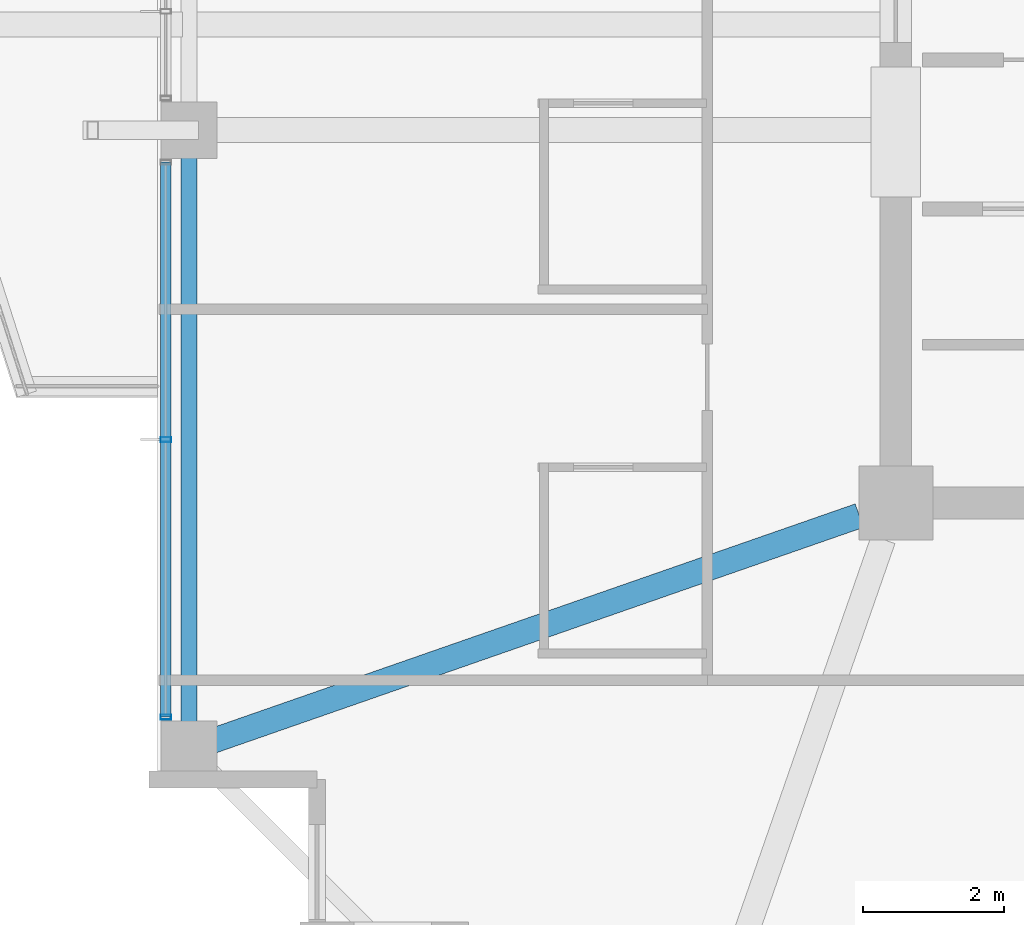
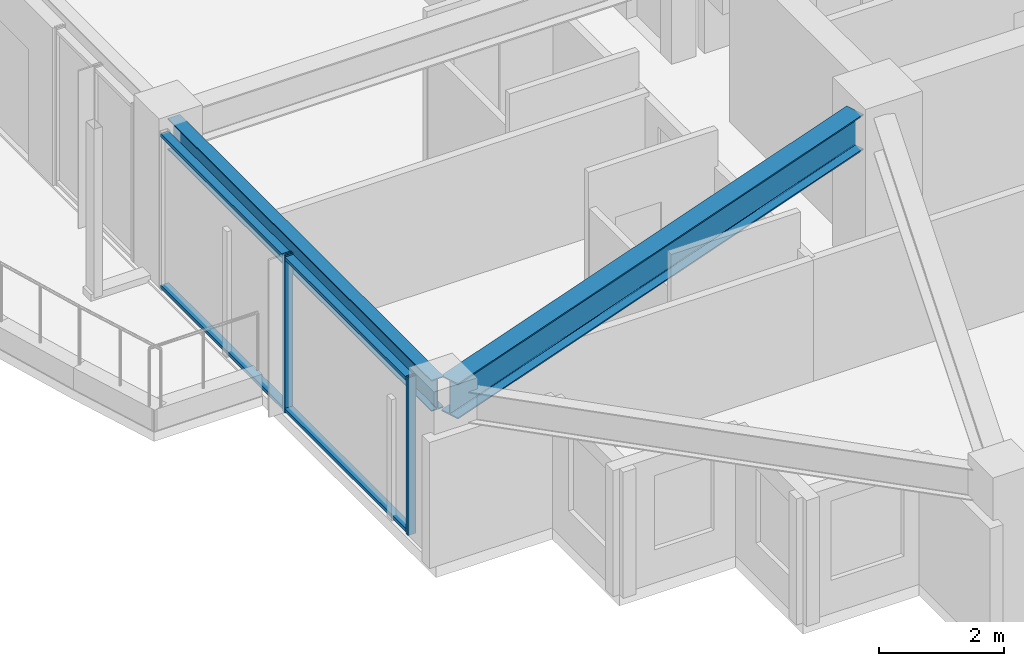
# One storey, part 3 of 33: 4 members, 2 beams, 1 element without a shape of its own.
"""IFC4 building model written with IfcOpenShell, lengths in metres."""

from ifc_helpers import new_model, si_unit, direction, frame, origin, origin_2d, place, context, subcontext, project, spatial, hollow_rectangle, i_section, extrude, material, material_profile, profile_set, type_object, element, aggregate, save


model = new_model("IFC4")

# Units and contexts
model_context = context("Model", 3, precision=1e-05, world=origin(), true_north=direction((0.0, 1.0)))
body_context = subcontext(model_context, "Body", "Model", "MODEL_VIEW")
ifc_project = project(units=[si_unit("LENGTHUNIT", "METRE"), si_unit("AREAUNIT", "SQUARE_METRE"), si_unit("VOLUMEUNIT", "CUBIC_METRE"), si_unit("PLANEANGLEUNIT", "RADIAN"), si_unit("MASSUNIT", "GRAM", prefix="KILO")], contexts=[model_context])

# Site, building, storey
site_placement = place(None, origin())
site = spatial("IfcSite", under=ifc_project, at=site_placement, CompositionType="ELEMENT")
building_placement = place(site_placement, origin())
building = spatial("IfcBuilding", under=site, at=building_placement, Name="Kolvaren Belvedere", CompositionType="ELEMENT")
storey_placement = place(building_placement, frame((0.0, 0.0, 209.699951171875)))
storey = spatial("IfcBuildingStorey", under=building, at=storey_placement, Name="L61", CompositionType="ELEMENT", Elevation=209.699951171875)

# Beams
ifc_material_1 = material(Name="Structural steel ASTM A992 Grade 50", Category="steel")
ifc_material_profile_1 = material_profile(ifc_material_1, i_section(OverallWidth=0.35498046875, OverallDepth=0.696044921875, WebThickness=0.015380859375, FlangeThickness=0.02490234375, FilletRadius=0.02197265625, at=origin_2d()), Name="W27X146")
ifc_profile_set_1 = profile_set([ifc_material_profile_1], Name="Structural steel ASTM A992 Grade 50")
beam_type_1 = type_object("IfcBeamType", Name="BM-GIRD-W27X146", PredefinedType="BEAM", material=ifc_profile_set_1)
beam_1_placement = place(storey_placement, frame((-10.41943359375, -10.080810546875, 2.73193359375), z_axis=(-0.944365399758, -0.328898147971, 0.0), x_axis=(0.328898147971, -0.944365399758, 0.0)))
element("IfcBeam", 1, at=beam_1_placement, inside=storey, type_object=beam_type_1, Name="L61 Corner Core-to-Perimeter Girder CC1-W1", PredefinedType="BEAM", context=body_context, shape_type="SweptSolid", body=[
    extrude(i_section(OverallWidth=0.35498046875, OverallDepth=0.696044921875, WebThickness=0.015380859375, FlangeThickness=0.02490234375, FilletRadius=0.02197265625, at=origin_2d()), origin(), (0.0, 0.0, 1.0), 9.931884765625),
])
ifc_material_2 = material(Name="Structural steel ASTM A992 Grade 50", Category="steel")
ifc_material_profile_2 = material_profile(ifc_material_2, i_section(OverallWidth=0.22900390625, OverallDepth=0.612060546875, WebThickness=0.011962890625, FlangeThickness=0.01953125, FilletRadius=0.01806640625, at=origin_2d()), Name="W24X84")
ifc_profile_set_2 = profile_set([ifc_material_profile_2], Name="Structural steel ASTM A992 Grade 50")
beam_type_2 = type_object("IfcBeamType", Name="BM-SPAN-W24X84", PredefinedType="SPANDREL", material=ifc_profile_set_2)
beam_2_placement = place(storey_placement, frame((-19.949951171875, -4.780029296875, 2.774169921875), z_axis=(0.0, -1.0, 0.0), x_axis=(1.0, 0.0, 0.0)))
element("IfcBeam", 2, at=beam_2_placement, inside=storey, type_object=beam_type_2, Name="L61 Perimeter Spandrel W2-W1", PredefinedType="SPANDREL", context=body_context, shape_type="SweptSolid", body=[
    extrude(i_section(OverallWidth=0.22900390625, OverallDepth=0.612060546875, WebThickness=0.011962890625, FlangeThickness=0.01953125, FilletRadius=0.01806640625, at=origin_2d()), origin(), (0.0, 0.0, 1.0), 8.43994140625),
])

# Curtain wall, members
ifc_material_3 = material(Name="Anodised pale-metal aluminium AA 6063-T6", Category="aluminium")
curtain_wall_type = type_object("IfcCurtainWallType", Name="CW-Z5-HIGH", PredefinedType="NOTDEFINED", material=ifc_material_3)
curtain_wall_placement = place(storey_placement, origin())
curtain_wall = element("IfcCurtainWall", 3, at=curtain_wall_placement, inside=storey, type_object=curtain_wall_type, Name="L61 Unitised Curtain Wall FCW-L61-W1-B1", PredefinedType="NOTDEFINED")
ifc_material_4 = material(Name="Anodised pale-metal aluminium AA 6063-T6", Category="aluminium")
ifc_material_profile_3 = material_profile(ifc_material_4, hollow_rectangle(XDim=0.070068359375, YDim=0.14990234375, WallThickness=0.004150390625, at=origin_2d()), Name="ALU-MUL-150X70")
ifc_profile_set_3 = profile_set([ifc_material_profile_3], Name="Anodised pale-metal aluminium AA 6063-T6")
member_type_1 = type_object("IfcMemberType", Name="CW-MUL-150", PredefinedType="MULLION", material=ifc_profile_set_3)
member_1_placement = place(storey_placement, frame((-20.280029296875, -12.945068359375, 0.0), z_axis=(0.0, 0.0, 1.0), x_axis=(0.0, 1.0, 0.0)))
member_1 = element("IfcMember", 4, at=member_1_placement, type_object=member_type_1, Name="FCW-L61-W1-B1 Unitised Mullion 1", PredefinedType="MULLION", context=body_context, shape_type="SweptSolid", body=[
    extrude(hollow_rectangle(XDim=0.070068359375, YDim=0.14990234375, WallThickness=0.004150390625, at=origin_2d()), origin(), (0.0, 0.0, 1.0), 3.080078125),
])
member_2_placement = place(storey_placement, frame((-20.280029296875, -9.0, 0.0), z_axis=(0.0, 0.0, 1.0), x_axis=(0.0, 1.0, 0.0)))
member_2 = element("IfcMember", 5, at=member_2_placement, type_object=member_type_1, Name="FCW-L61-W1-B1 Unitised Mullion 2", PredefinedType="MULLION", context=body_context, shape_type="SweptSolid", body=[
    extrude(hollow_rectangle(XDim=0.070068359375, YDim=0.14990234375, WallThickness=0.004150390625, at=origin_2d()), origin(), (0.0, 0.0, 1.0), 3.080078125),
])
ifc_material_5 = material(Name="Anodised pale-metal aluminium AA 6063-T6", Category="aluminium")
ifc_material_profile_4 = material_profile(ifc_material_5, hollow_rectangle(XDim=0.06494140625, YDim=0.14990234375, WallThickness=0.00390625, at=origin_2d()), Name="ALU-TRN-150X65")
ifc_profile_set_4 = profile_set([ifc_material_profile_4], Name="Anodised pale-metal aluminium AA 6063-T6")
member_type_2 = type_object("IfcMemberType", Name="CW-TRN-150", PredefinedType="USERDEFINED", material=ifc_profile_set_4)
member_3_placement = place(storey_placement, frame((-20.280029296875, -12.945068359375, 0.06005859375), z_axis=(0.0, 1.0, 0.0), x_axis=(0.0, 0.0, 1.0)))
member_3 = element("IfcMember", 6, at=member_3_placement, type_object=member_type_2, Name="FCW-L61-W1-B1 Sill Transom", ObjectType="TRANSOM", PredefinedType="USERDEFINED", context=body_context, shape_type="SweptSolid", body=[
    extrude(hollow_rectangle(XDim=0.06494140625, YDim=0.14990234375, WallThickness=0.00390625, at=origin_2d()), origin(), (0.0, 0.0, 1.0), 7.89013671875),
])
member_4_placement = place(storey_placement, frame((-20.280029296875, -12.945068359375, 3.02001953125), z_axis=(0.0, 1.0, 0.0), x_axis=(0.0, 0.0, 1.0)))
member_4 = element("IfcMember", 7, at=member_4_placement, type_object=member_type_2, Name="FCW-L61-W1-B1 Head Transom", ObjectType="TRANSOM", PredefinedType="USERDEFINED", context=body_context, shape_type="SweptSolid", body=[
    extrude(hollow_rectangle(XDim=0.06494140625, YDim=0.14990234375, WallThickness=0.00390625, at=origin_2d()), origin(), (0.0, 0.0, 1.0), 7.89013671875),
])
aggregate(curtain_wall, [member_1, member_2, member_3, member_4])

save(model, "model.ifc")
